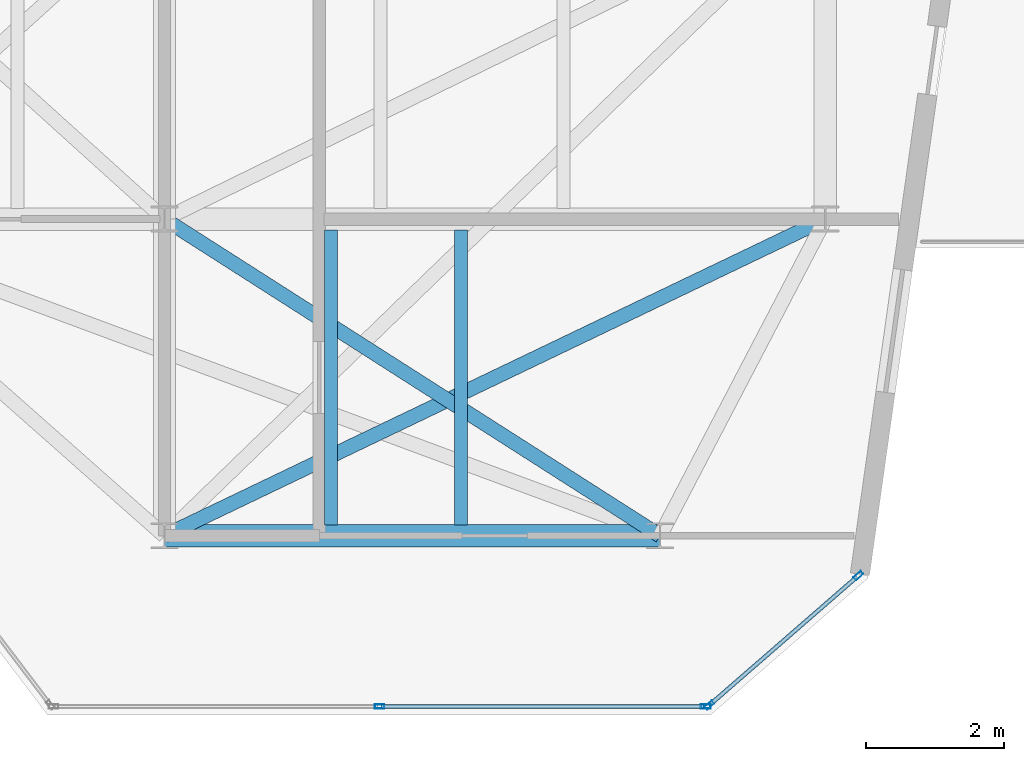
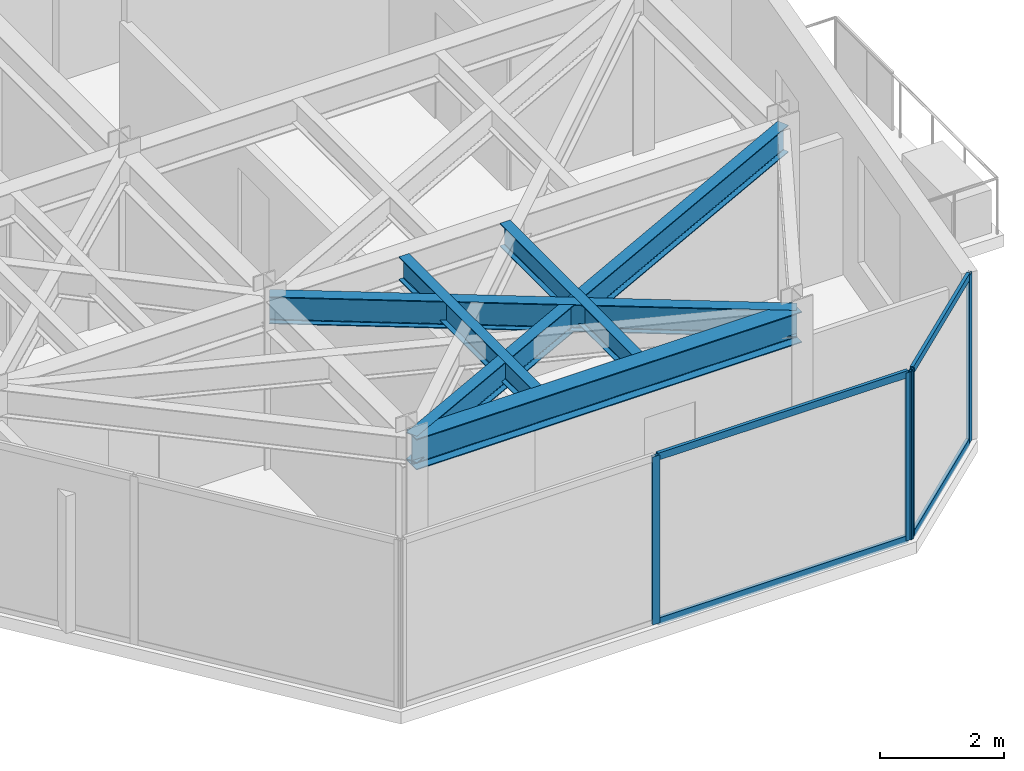
# One storey, part 9 of 16: 8 members, 5 beams, 2 elements without a shape of their own.
"""IFC4 building model written with IfcOpenShell, lengths in metres."""

import ifcopenshell
import ifcopenshell.guid

model = None  # the IFC model being written
_history = None  # IfcOwnerHistory: only IFC2X3 demands one
_inside = {}  # id of a spatial element -> (the spatial element, [elements in it])
_under = {}  # id of a project, library or spatial element -> (it, [spatial elements below it])
_declared = {}  # id of a project -> (the project, [libraries it declares])
_typed = {}  # id of a type object -> (the type object, [elements of that type])
_made_of = {}  # id of a material, layer set ... -> (it, [elements and type objects made of it])


def new_model(schema):
    """Start an empty IFC model of exactly this schema.

    Asked for "IFC4X3", IfcOpenShell would pick the latest addendum, in which some entities
    have other attributes; the version numbers below select the first issue.
    IFC2X3 requires an IfcOwnerHistory on every rooted entity: one is made here for all.
    """
    global model, _history
    if schema == "IFC4X3":
        model = ifcopenshell.file(schema_version=(4, 3, 0, 0))
    else:
        model = ifcopenshell.file(schema=schema)
    _inside.clear()
    _under.clear()
    _declared.clear()
    _typed.clear()
    _made_of.clear()
    _history = None
    if model.schema == "IFC2X3":
        org = make("IfcOrganization", Name="unknown")
        user = make(
            "IfcPersonAndOrganization",
            ThePerson=make("IfcPerson", FamilyName="unknown"),
            TheOrganization=org,
        )
        app = make(
            "IfcApplication",
            ApplicationDeveloper=org,
            Version="unknown",
            ApplicationFullName="unknown",
            ApplicationIdentifier="unknown",
        )
        _history = make(
            "IfcOwnerHistory",
            OwningUser=user,
            OwningApplication=app,
            ChangeAction="ADDED",
            CreationDate=0,
        )
    return model


def make(cls, **values):
    """One entity of the class cls with the attributes given. An attribute that is None is left unset."""
    return model.create_entity(
        cls, **{name: value for name, value in values.items() if value is not None}
    )


def rooted(cls, **values):
    """An entity with a GlobalId (a new one), such as an element, a storey or a relation."""
    return make(cls, GlobalId=ifcopenshell.guid.new(), OwnerHistory=_history, **values)


def si_unit(unit_type, name, prefix=None):
    """IfcSIUnit, for example si_unit("LENGTHUNIT", "METRE", prefix="MILLI")."""
    return make("IfcSIUnit", UnitType=unit_type, Prefix=prefix, Name=name)


def assignment(units):
    """IfcUnitAssignment: the units of a project."""
    return None if units is None else make("IfcUnitAssignment", Units=units)


def point(xyz):
    """IfcCartesianPoint."""
    return None if xyz is None else make("IfcCartesianPoint", Coordinates=xyz)


def direction(xyz):
    """IfcDirection."""
    return None if xyz is None else make("IfcDirection", DirectionRatios=xyz)


def frame(location, z_axis=None, x_axis=None):
    """IfcAxis2Placement3D, a coordinate frame: its origin and axes. An axis left out is left unset."""
    return make(
        "IfcAxis2Placement3D",
        Location=point(location),
        Axis=direction(z_axis),
        RefDirection=direction(x_axis),
    )


def frame_2d(location, x_axis=None):
    """IfcAxis2Placement2D, a coordinate frame in the plane: its origin and x axis."""
    return make(
        "IfcAxis2Placement2D", Location=point(location), RefDirection=direction(x_axis)
    )


def origin():
    """The frame at (0, 0, 0) with its axes left unset."""
    return frame((0.0, 0.0, 0.0))


def origin_2d():
    """The frame at (0, 0) in the plane with its x axis left unset."""
    return frame_2d((0.0, 0.0))


def place(relative_to, where):
    """IfcLocalPlacement: puts the frame where relative to a parent placement (None: the world)."""
    return make(
        "IfcLocalPlacement", PlacementRelTo=relative_to, RelativePlacement=where
    )


def context(
    kind, dimensions, precision=None, world=None, true_north=None, identifier=None
):
    """IfcGeometricRepresentationContext, for example the 3D "Model" context."""
    return make(
        "IfcGeometricRepresentationContext",
        ContextIdentifier=identifier,
        ContextType=kind,
        CoordinateSpaceDimension=dimensions,
        Precision=precision,
        WorldCoordinateSystem=world,
        TrueNorth=true_north,
    )


def subcontext(parent, identifier, kind, view, scale=None):
    """IfcGeometricRepresentationSubContext, for example "Body" below "Model"."""
    return make(
        "IfcGeometricRepresentationSubContext",
        ContextIdentifier=identifier,
        ContextType=kind,
        ParentContext=parent,
        TargetScale=scale,
        TargetView=view,
    )


def project(units=None, contexts=None):
    """IfcProject with its units and contexts."""
    return rooted(
        "IfcProject",
        Name="project",
        RepresentationContexts=contexts,
        UnitsInContext=assignment(units),
    )


def spatial(cls, under=None, at=None, **own):
    """A site, building, storey or space (cls), placed at a placement, below another one or the project."""
    s = rooted(cls, ObjectPlacement=at, **own)
    if under is not None:
        _under.setdefault(under.id(), (under, []))[1].append(s)
    return s


def profile(cls, at=None, kind="AREA", **sizes):
    """A parametric profile (cls). Its sizes go by their IFC names, for example OverallWidth=200.0."""
    return make(cls, ProfileType=kind, Position=at, **sizes)


def hollow_rectangle(**sizes):
    """IfcRectangleHollowProfileDef."""
    return profile("IfcRectangleHollowProfileDef", **sizes)


def i_section(**sizes):
    """IfcIShapeProfileDef."""
    return profile("IfcIShapeProfileDef", **sizes)


def extrude(swept, where, along, depth):
    """IfcExtrudedAreaSolid: the profile swept, set in the frame where, extruded along a direction by depth."""
    return make(
        "IfcExtrudedAreaSolid",
        SweptArea=swept,
        Position=where,
        ExtrudedDirection=direction(along),
        Depth=depth,
    )


def shape(context_of_items, identifier, shape_type, items):
    """IfcShapeRepresentation: the items that make up one representation, for example the "Body"."""
    return make(
        "IfcShapeRepresentation",
        ContextOfItems=context_of_items,
        RepresentationIdentifier=identifier,
        RepresentationType=shape_type,
        Items=items,
    )


def material(Name=None, Category=None):
    """IfcMaterial."""
    return make("IfcMaterial", Name=Name, Category=Category)


def layer(
    of_material, thickness, ventilated=None, Name=None, Category=None, Priority=None
):
    """IfcMaterialLayer: one layer of a wall or slab, of a material (None: an air gap)."""
    return make(
        "IfcMaterialLayer",
        Material=of_material,
        LayerThickness=thickness,
        IsVentilated=ventilated,
        Name=Name,
        Category=Category,
        Priority=Priority,
    )


def layer_set(layers, Name=None):
    """IfcMaterialLayerSet."""
    return make("IfcMaterialLayerSet", MaterialLayers=layers, LayerSetName=Name)


def material_profile(
    of_material, cross_section, Name=None, Category=None, Priority=None
):
    """IfcMaterialProfile: a cross section and its material."""
    return make(
        "IfcMaterialProfile",
        Name=Name,
        Material=of_material,
        Profile=cross_section,
        Priority=Priority,
        Category=Category,
    )


def profile_set(profiles, Name=None, composite=None):
    """IfcMaterialProfileSet."""
    return make(
        "IfcMaterialProfileSet",
        Name=Name,
        MaterialProfiles=profiles,
        CompositeProfile=composite,
    )


def made_of(thing, what):
    """Note that an element or type object is made of a material, layer set ...; save() writes the relation."""
    if what is not None:
        _made_of.setdefault(what.id(), (what, []))[1].append(thing)
    return thing


def type_object(cls, material=None, **own):
    """A type object (cls), such as IfcWallType, which elements share."""
    return made_of(rooted(cls, **own), material)


def element(
    cls,
    number,
    at=None,
    inside=None,
    cuts=None,
    type_object=None,
    material=None,
    context=None,
    identifier="Body",
    shape_type=None,
    held_by="IfcProductDefinitionShape",
    body=None,
    shapes=None,
    **own,
):
    """One element of the class cls, such as IfcWall. Its Tag is "e" and its number.

    at: its placement. inside: the storey or other place that contains it. cuts: it is an
    opening in that element (IfcRelVoidsElement). A single representation is given by context,
    identifier, shape_type and body (its items); several are given by shapes. held_by: the class
    of the entity that holds the representations. save() writes the other relations.
    """
    e = rooted(cls, Tag="e%d" % number, ObjectPlacement=at, **own)
    if body is not None:
        shapes = [shape(context, identifier, shape_type, body)]
    if shapes is not None:
        e.Representation = make(held_by, Representations=shapes)
    if inside is not None:
        _inside.setdefault(inside.id(), (inside, []))[1].append(e)
    if cuts is not None:
        rooted(
            "IfcRelVoidsElement", RelatingBuildingElement=cuts, RelatedOpeningElement=e
        )
    if type_object is not None:
        _typed.setdefault(type_object.id(), (type_object, []))[1].append(e)
    return made_of(e, material)


def aggregate(whole, parts):
    """IfcRelAggregates: a whole, such as a stair, and the parts it consists of."""
    return rooted("IfcRelAggregates", RelatingObject=whole, RelatedObjects=parts)


def save(model, path):
    """Write the relations noted so far, then the file.

    IfcRelAggregates (storeys below a building ...), IfcRelContainedInSpatialStructure (elements
    in a storey), IfcRelDefinesByType, IfcRelAssociatesMaterial and IfcRelDeclares: one each for
    every whole, place, type object, material and project.
    """
    for whole, parts in _under.values():
        aggregate(whole, parts)
    for where, things in _inside.values():
        rooted(
            "IfcRelContainedInSpatialStructure",
            RelatedElements=things,
            RelatingStructure=where,
        )
    for kind, things in _typed.values():
        rooted("IfcRelDefinesByType", RelatedObjects=things, RelatingType=kind)
    for what, things in _made_of.values():
        rooted("IfcRelAssociatesMaterial", RelatedObjects=things, RelatingMaterial=what)
    for by, libraries in _declared.values():
        rooted("IfcRelDeclares", RelatingContext=by, RelatedDefinitions=libraries)
    model.write(path)


model = new_model("IFC4")

# Units and contexts
model_context = context("Model", 3, precision=1e-05, world=origin(), true_north=direction((0.0, 1.0)))
body_context = subcontext(model_context, "Body", "Model", "MODEL_VIEW")
ifc_project = project(units=[si_unit("LENGTHUNIT", "METRE"), si_unit("AREAUNIT", "SQUARE_METRE"), si_unit("VOLUMEUNIT", "CUBIC_METRE"), si_unit("PLANEANGLEUNIT", "RADIAN"), si_unit("MASSUNIT", "GRAM", prefix="KILO")], contexts=[model_context])

# Site, building, storey
site_placement = place(None, origin())
site = spatial("IfcSite", under=ifc_project, at=site_placement, CompositionType="ELEMENT")
building_placement = place(site_placement, origin())
building = spatial("IfcBuilding", under=site, at=building_placement, Name="Kravanh Interchange Tower", CompositionType="ELEMENT")
storey_placement = place(building_placement, frame((0.0, 0.0, 307.5)))
storey = spatial("IfcBuildingStorey", under=building, at=storey_placement, Name="L76", CompositionType="ELEMENT", Elevation=307.5)

# Curtain wall, members
ifc_material_1 = material(Name="Anodised Bronze Aluminium", Category="aluminium")
ifc_layer = layer(ifc_material_1, 0.179931640625)
ifc_layer_set = layer_set([ifc_layer], Name="Unitised Curtain Wall System CW-HTL Luxury Hotel")
curtain_wall_type = type_object("IfcCurtainWallType", Name="Unitised Curtain Wall System CW-HTL Luxury Hotel", PredefinedType="NOTDEFINED", material=ifc_layer_set)
curtain_wall_1_placement = place(storey_placement, origin())
curtain_wall_1 = element("IfcCurtainWall", 1, at=curtain_wall_1_placement, inside=storey, type_object=curtain_wall_type, Name="L76 Unitised Curtain Wall CW-L76-02", PredefinedType="NOTDEFINED")
ifc_material_2 = material(Name="Anodised Bronze Aluminium", Category="aluminium")
ifc_material_profile_1 = material_profile(ifc_material_2, hollow_rectangle(XDim=0.06005859375, YDim=0.139892578125, WallThickness=0.00390625, at=origin_2d()), Name="ALU60X140X4")
ifc_profile_set_1 = profile_set([ifc_material_profile_1], Name="Anodised Bronze Aluminium")
member_type_1 = type_object("IfcMemberType", Name="Curtain Wall Mullion ALU60X140X4 Bronze", PredefinedType="MULLION", material=ifc_profile_set_1)
member_1_placement = place(storey_placement, frame((66.08154296875, 21.621826171875, 0.0), z_axis=(0.0, 0.0, 1.0), x_axis=(0.656050227106, -0.754717231494, 0.0)))
member_1 = element("IfcMember", 2, at=member_1_placement, type_object=member_type_1, Name="CW-HTL mullion 1", PredefinedType="MULLION", context=body_context, shape_type="SweptSolid", body=[
    extrude(hollow_rectangle(XDim=0.06005859375, YDim=0.139892578125, WallThickness=0.00390625, at=origin_2d()), origin(), (0.0, 0.0, 1.0), 3.320068359375),
])
member_2_placement = place(storey_placement, frame((63.916259765625, 19.73974609375, 0.0), z_axis=(0.0, 0.0, 1.0), x_axis=(0.656050227106, -0.754717231494, 0.0)))
member_2 = element("IfcMember", 3, at=member_2_placement, type_object=member_type_1, Name="CW-HTL mullion 2", PredefinedType="MULLION", context=body_context, shape_type="SweptSolid", body=[
    extrude(hollow_rectangle(XDim=0.06005859375, YDim=0.139892578125, WallThickness=0.00390625, at=origin_2d()), origin(), (0.0, 0.0, 1.0), 3.320068359375),
])

curtain_wall_2_placement = place(storey_placement, origin())
curtain_wall_2 = element("IfcCurtainWall", 4, at=curtain_wall_2_placement, inside=storey, type_object=curtain_wall_type, Name="L76 Unitised Curtain Wall CW-L76-03", PredefinedType="NOTDEFINED")
member_3_placement = place(storey_placement, frame((63.863525390625, 19.719970703125, 0.0), z_axis=(0.0, 0.0, 1.0), x_axis=(0.0, -1.0, 0.0)))
member_3 = element("IfcMember", 5, at=member_3_placement, type_object=member_type_1, Name="CW-HTL mullion 1", PredefinedType="MULLION", context=body_context, shape_type="SweptSolid", body=[
    extrude(hollow_rectangle(XDim=0.06005859375, YDim=0.139892578125, WallThickness=0.00390625, at=origin_2d()), origin(), (0.0, 0.0, 1.0), 3.320068359375),
])
member_4_placement = place(storey_placement, frame((59.12646484375, 19.719970703125, 0.0), z_axis=(0.0, 0.0, 1.0), x_axis=(0.0, -1.0, 0.0)))
member_4 = element("IfcMember", 6, at=member_4_placement, type_object=member_type_1, Name="CW-HTL mullion 2", PredefinedType="MULLION", context=body_context, shape_type="SweptSolid", body=[
    extrude(hollow_rectangle(XDim=0.06005859375, YDim=0.139892578125, WallThickness=0.00390625, at=origin_2d()), origin(), (0.0, 0.0, 1.0), 3.320068359375),
])

# Member
ifc_material_3 = material(Name="Anodised Bronze Aluminium", Category="aluminium")
ifc_material_profile_2 = material_profile(ifc_material_3, hollow_rectangle(XDim=0.06005859375, YDim=0.139892578125, WallThickness=0.00390625, at=origin_2d()), Name="ALU60X140X4")
ifc_profile_set_2 = profile_set([ifc_material_profile_2], Name="Anodised Bronze Aluminium")
member_type_2 = type_object("IfcMemberType", Name="Curtain Wall Transom ALU60X140X4 Bronze", PredefinedType="USERDEFINED", material=ifc_profile_set_2)
member_5_placement = place(storey_placement, frame((66.058837890625, 21.602294921875, 0.030029296875), z_axis=(-0.754704676026, -0.656064670581, 0.0), x_axis=(0.656064670581, -0.754704676026, 0.0)))
member_5 = element("IfcMember", 7, at=member_5_placement, type_object=member_type_2, Name="CW-HTL transom 1.1", ObjectType="TRANSOM", PredefinedType="USERDEFINED", context=body_context, shape_type="SweptSolid", body=[
    extrude(hollow_rectangle(XDim=0.06005859375, YDim=0.139892578125, WallThickness=0.00390625, at=origin_2d()), origin(), (0.0, 0.0, 1.0), 2.80908203125),
])

member_6_placement = place(storey_placement, frame((66.058837890625, 21.602294921875, 3.2900390625), z_axis=(-0.754704676026, -0.656064670581, 0.0), x_axis=(0.656064670581, -0.754704676026, 0.0)))
member_6 = element("IfcMember", 8, at=member_6_placement, type_object=member_type_2, Name="CW-HTL transom 1.2", ObjectType="TRANSOM", PredefinedType="USERDEFINED", context=body_context, shape_type="SweptSolid", body=[
    extrude(hollow_rectangle(XDim=0.06005859375, YDim=0.139892578125, WallThickness=0.00390625, at=origin_2d()), origin(), (0.0, 0.0, 1.0), 2.80908203125),
])

aggregate(curtain_wall_1, [member_1, member_2, member_5, member_6])

member_7_placement = place(storey_placement, frame((63.83349609375, 19.719970703125, 0.030029296875), z_axis=(-1.0, 0.0, 0.0), x_axis=(0.0, -1.0, 0.0)))
member_7 = element("IfcMember", 9, at=member_7_placement, type_object=member_type_2, Name="CW-HTL transom 1.1", ObjectType="TRANSOM", PredefinedType="USERDEFINED", context=body_context, shape_type="SweptSolid", body=[
    extrude(hollow_rectangle(XDim=0.06005859375, YDim=0.139892578125, WallThickness=0.00390625, at=origin_2d()), origin(), (0.0, 0.0, 1.0), 4.677001953125),
])

member_8_placement = place(storey_placement, frame((63.83349609375, 19.719970703125, 3.2900390625), z_axis=(-1.0, 0.0, 0.0), x_axis=(0.0, -1.0, 0.0)))
member_8 = element("IfcMember", 10, at=member_8_placement, type_object=member_type_2, Name="CW-HTL transom 1.2", ObjectType="TRANSOM", PredefinedType="USERDEFINED", context=body_context, shape_type="SweptSolid", body=[
    extrude(hollow_rectangle(XDim=0.06005859375, YDim=0.139892578125, WallThickness=0.00390625, at=origin_2d()), origin(), (0.0, 0.0, 1.0), 4.677001953125),
])

aggregate(curtain_wall_2, [member_3, member_4, member_7, member_8])

# Beams
ifc_material_4 = material(Name="Structural Steel S355", Category="steel")
ifc_material_profile_3 = material_profile(ifc_material_4, i_section(OverallWidth=0.323974609375, OverallDepth=0.611083984375, WebThickness=0.0126953125, FlangeThickness=0.01904296875, FilletRadius=0.02197265625, at=origin_2d()), Name="W24X104")
ifc_profile_set_3 = profile_set([ifc_material_profile_3], Name="Structural Steel S355")
beam_type_1 = type_object("IfcBeamType", Name="Floor Beam W24X104 Structural Steel S355", PredefinedType="BEAM", material=ifc_profile_set_3)
beam_1_placement = place(storey_placement, frame((56.0, 22.199951171875, 3.014404296875), z_axis=(1.0, 0.0, 0.0), x_axis=(0.0, 1.0, 0.0)))
element("IfcBeam", 11, at=beam_1_placement, inside=storey, type_object=beam_type_1, Name="L76 Primary Floor Girder 27", PredefinedType="BEAM", context=body_context, shape_type="SweptSolid", body=[
    extrude(i_section(OverallWidth=0.323974609375, OverallDepth=0.611083984375, WebThickness=0.0126953125, FlangeThickness=0.01904296875, FilletRadius=0.02197265625, at=origin_2d()), origin(), (0.0, 0.0, 1.0), 7.199951171875),
])
ifc_material_5 = material(Name="Structural Steel S355", Category="steel")
ifc_material_profile_4 = material_profile(ifc_material_5, i_section(OverallWidth=0.18994140625, OverallDepth=0.45703125, WebThickness=0.009033203125, FlangeThickness=0.014404296875, FilletRadius=0.01806640625, at=origin_2d()), Name="W18X50")
ifc_profile_set_4 = profile_set([ifc_material_profile_4], Name="Structural Steel S355")
beam_type_2 = type_object("IfcBeamType", Name="Floor Joist W18X50 Structural Steel S355", PredefinedType="JOIST", material=ifc_profile_set_4)
for number, where, z_axis, x_axis, name in (
    (12, (58.419921875, 22.35693359375, 3.091552734375), (0.0, 1.0, 0.0), (-1.0, 0.0, 0.0), "L76 Secondary Floor Joist 1"),
    (13, (60.30810546875, 22.35693359375, 3.091552734375), (0.0, 1.0, 0.0), (-1.0, 0.0, 0.0), "L76 Secondary Floor Joist 2"),
):
    element("IfcBeam", number, at=place(storey_placement, frame(where, z_axis=z_axis, x_axis=x_axis)), inside=storey, type_object=beam_type_2, Name=name, PredefinedType="JOIST", context=body_context, shape_type="SweptSolid", body=[
        extrude(i_section(OverallWidth=0.18994140625, OverallDepth=0.45703125, WebThickness=0.009033203125, FlangeThickness=0.014404296875, FilletRadius=0.01806640625, at=origin_2d()), origin(), (0.0, 0.0, 1.0), 4.2861328125),
    ])
ifc_material_6 = material(Name="Structural Steel S355", Category="steel")
ifc_material_profile_5 = material_profile(ifc_material_6, i_section(OverallWidth=0.2099609375, OverallDepth=0.537109375, WebThickness=0.010986328125, FlangeThickness=0.017333984375, FilletRadius=0.02001953125, at=origin_2d()), Name="W21X68")
ifc_profile_set_5 = profile_set([ifc_material_profile_5], Name="Structural Steel S355")
beam_type_3 = type_object("IfcBeamType", Name="Floor Spandrel W21X68 Structural Steel S355", PredefinedType="SPANDREL", material=ifc_profile_set_5)
beam_2_placement = place(storey_placement, frame((56.0, 26.800048828125, 3.051513671875), z_axis=(0.842689417531, -0.53839998661, 0.0), x_axis=(0.53839998661, 0.842689417531, 0.0)))
element("IfcBeam", 14, at=beam_2_placement, inside=storey, type_object=beam_type_3, Name="L76 Perimeter Spandrel 23", PredefinedType="SPANDREL", context=body_context, shape_type="SweptSolid", body=[
    extrude(i_section(OverallWidth=0.2099609375, OverallDepth=0.537109375, WebThickness=0.010986328125, FlangeThickness=0.017333984375, FilletRadius=0.02001953125, at=origin_2d()), origin(), (0.0, 0.0, 1.0), 8.5439453125),
])
beam_3_placement = place(storey_placement, frame((65.60009765625, 26.800048828125, 3.051513671875), z_axis=(-0.901814166789, -0.432124066188, 0.0), x_axis=(0.432124066188, -0.901814166789, 0.0)))
element("IfcBeam", 15, at=beam_3_placement, inside=storey, type_object=beam_type_3, Name="L76 Perimeter Spandrel 26", PredefinedType="SPANDREL", context=body_context, shape_type="SweptSolid", body=[
    extrude(i_section(OverallWidth=0.2099609375, OverallDepth=0.537109375, WebThickness=0.010986328125, FlangeThickness=0.017333984375, FilletRadius=0.02001953125, at=origin_2d()), origin(), (0.0, 0.0, 1.0), 10.645263671875),
])

save(model, "model.ifc")
